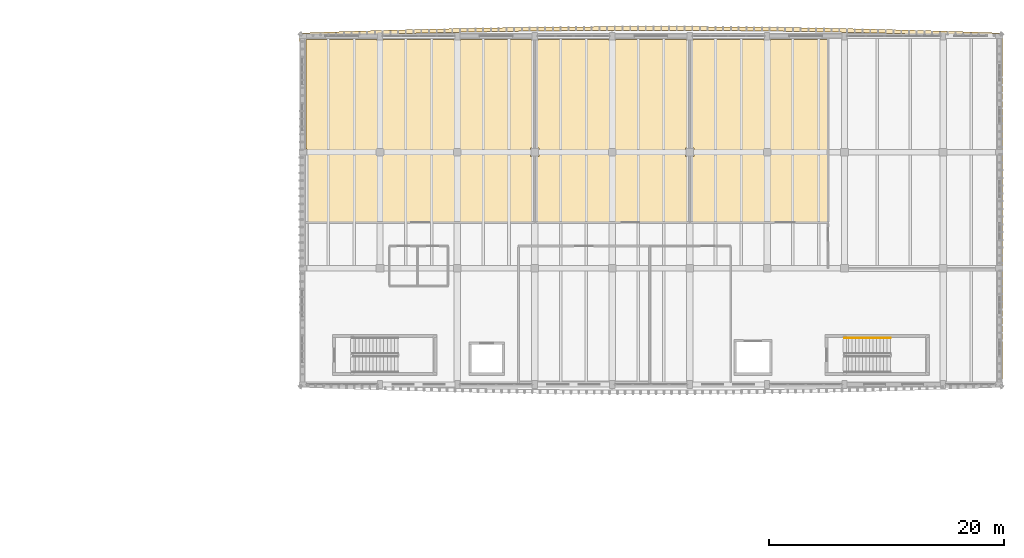
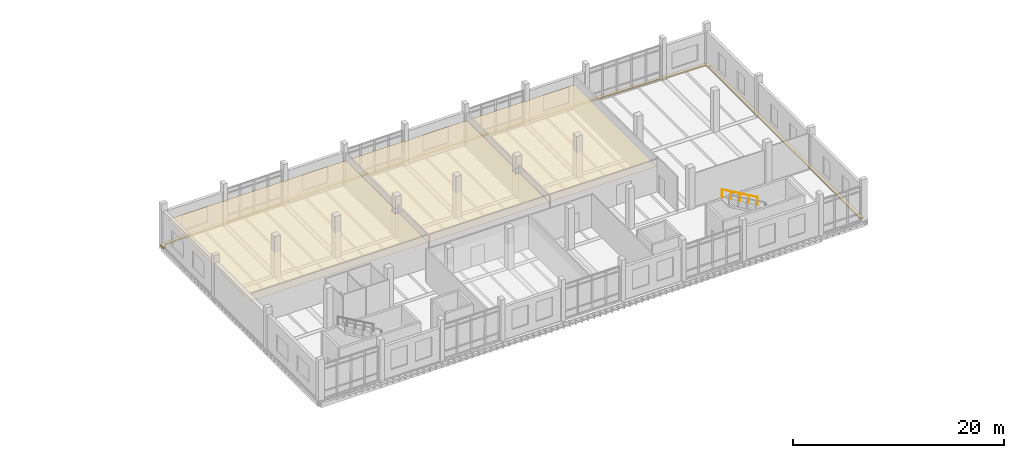
# One storey, part 68 of 76: 5 coverings, 1 railing.
"""IFC4 building model written with IfcOpenShell, lengths in metres."""

from ifc_helpers import new_model, si_unit, direction, frame, origin, origin_2d, place, context, subcontext, project, spatial, polyline, circle, outline, extrude, material, layer, layer_set, type_object, element, save


model = new_model("IFC4")

# Units and contexts
model_context = context("Model", 3, precision=1e-05, world=origin(), true_north=direction((0.0, 1.0)))
body_context = subcontext(model_context, "Body", "Model", "MODEL_VIEW")
ifc_project = project(units=[si_unit("LENGTHUNIT", "METRE"), si_unit("AREAUNIT", "SQUARE_METRE"), si_unit("VOLUMEUNIT", "CUBIC_METRE"), si_unit("PLANEANGLEUNIT", "RADIAN"), si_unit("MASSUNIT", "GRAM", prefix="KILO")], contexts=[model_context])

# Site, building, storey
site_placement = place(None, origin())
site = spatial("IfcSite", under=ifc_project, at=site_placement, CompositionType="ELEMENT")
building_placement = place(site_placement, origin())
building = spatial("IfcBuilding", under=site, at=building_placement, Name="Dornvale Research Institute", CompositionType="ELEMENT")
storey_placement = place(building_placement, frame((0.0, 0.0, 15.0)))
storey = spatial("IfcBuildingStorey", under=building, at=storey_placement, Name="L03", CompositionType="ELEMENT", Elevation=15.0)

# Coverings
ifc_material_1 = material(Name="Mineral-Fibre Acoustic Lay-In Ceiling Tile System")
ifc_layer_1 = layer(ifc_material_1, 0.02001953125)
ifc_layer_set_1 = layer_set([ifc_layer_1], Name="Mineral-Fibre Acoustic Lay-In Ceiling Tile System")
covering_type_1 = type_object("IfcCoveringType", Name="Covering_Acoustic_Ceiling", PredefinedType="CEILING", material=ifc_layer_set_1)
covering_1_placement = place(storey_placement, frame((0.0, 0.0, 2.85009765625)))
element("IfcCovering", 1, at=covering_1_placement, inside=storey, type_object=covering_type_1, Name="L03 Systems Biology Wet Laboratory suspended ceiling", PredefinedType="CEILING", context=body_context, shape_type="SweptSolid", body=[
    extrude(outline(polyline([(125.675048828125, 121.800048828125), (131.72509765625, 121.800048828125), (131.72509765625, 121.72509765625), (132.27490234375, 121.72509765625), (132.27490234375, 121.800048828125), (138.324951171875, 121.800048828125), (138.324951171875, 121.72509765625), (138.580078125, 121.72509765625), (138.580078125, 112.574951171875), (138.22509765625, 112.574951171875), (138.22509765625, 111.824951171875), (138.580078125, 111.824951171875), (138.580078125, 106.219970703125), (119.10009765625, 106.219970703125), (119.10009765625, 111.925048828125), (119.175048828125, 111.925048828125), (119.175048828125, 112.47509765625), (119.10009765625, 112.47509765625), (119.10009765625, 121.800048828125), (125.125, 121.800048828125), (125.125, 121.72509765625), (125.675048828125, 121.72509765625), (125.675048828125, 121.800048828125)])), origin(), (0.0, 0.0, 1.0), 0.02001953125),
])
covering_2_placement = place(storey_placement, frame((0.0, 0.0, 2.85009765625)))
element("IfcCovering", 2, at=covering_2_placement, inside=storey, type_object=covering_type_1, Name="L03 Proteomics and Mass Spectrometry Suite suspended ceiling", PredefinedType="CEILING", context=body_context, shape_type="SweptSolid", body=[
    extrude(outline(polyline([(138.875, 121.800048828125), (144.925048828125, 121.800048828125), (144.925048828125, 121.72509765625), (145.47509765625, 121.72509765625), (145.47509765625, 121.800048828125), (151.52490234375, 121.800048828125), (151.52490234375, 121.72509765625), (151.780029296875, 121.72509765625), (151.780029296875, 112.574951171875), (151.425048828125, 112.574951171875), (151.425048828125, 111.824951171875), (151.780029296875, 111.824951171875), (151.780029296875, 106.219970703125), (138.6201171875, 106.219970703125), (138.6201171875, 111.824951171875), (138.97509765625, 111.824951171875), (138.97509765625, 112.574951171875), (138.6201171875, 112.574951171875), (138.6201171875, 121.72509765625), (138.875, 121.72509765625), (138.875, 121.800048828125)])), origin(), (0.0, 0.0, 1.0), 0.02001953125),
])
covering_3_placement = place(storey_placement, frame((0.0, 0.0, 2.85009765625)))
element("IfcCovering", 3, at=covering_3_placement, inside=storey, type_object=covering_type_1, Name="L03 Media Preparation and Autoclave Room suspended ceiling", PredefinedType="CEILING", context=body_context, shape_type="SweptSolid", body=[
    extrude(outline(polyline([(151.820068359375, 111.824951171875), (152.175048828125, 111.824951171875), (152.175048828125, 112.574951171875), (151.820068359375, 112.574951171875), (151.820068359375, 121.72509765625), (152.074951171875, 121.72509765625), (152.074951171875, 121.800048828125), (158.125, 121.800048828125), (158.125, 121.72509765625), (158.675048828125, 121.72509765625), (158.675048828125, 121.800048828125), (163.580078125, 121.800048828125), (163.580078125, 106.219970703125), (151.820068359375, 106.219970703125), (151.820068359375, 111.824951171875)])), origin(), (0.0, 0.0, 1.0), 0.02001953125),
])
ifc_material_2 = material(Name="Polychrome Glazed Terracotta Visor Rib Ceramic", Category="masonry")
ifc_layer_2 = layer(ifc_material_2, 0.179931640625)
ifc_layer_set_2 = layer_set([ifc_layer_2], Name="Polychrome Glazed Terracotta Visor Rib Ceramic")
covering_type_2 = type_object("IfcCoveringType", Name="Covering_VisorBrim_LowShelf", PredefinedType="CLADDING", material=ifc_layer_set_2)
covering_4_placement = place(storey_placement, frame((0.0, 0.0, -0.260009765625)))
element("IfcCovering", 4, at=covering_4_placement, inside=storey, type_object=covering_type_2, Name="L03 V4 canted bowed-brim visor hood #53", PredefinedType="CLADDING", context=body_context, shape_type="SweptSolid", body=[
    extrude(outline(polyline([(118.790771484375, 122.35888671875), (120.440673828125, 122.41845703125), (120.441162109375, 122.41845703125), (122.09130859375, 122.474609375), (122.091796875, 122.474609375), (123.74169921875, 122.527099609375), (123.7421875, 122.527099609375), (125.392333984375, 122.576416015625), (125.392822265625, 122.576416015625), (127.042724609375, 122.622314453125), (127.043212890625, 122.622314453125), (128.693359375, 122.664794921875), (128.69384765625, 122.664794921875), (130.343994140625, 122.70361328125), (130.344482421875, 122.70361328125), (131.994384765625, 122.7392578125), (131.994873046875, 122.739501953125), (133.64501953125, 122.771728515625), (133.6455078125, 122.771728515625), (135.29541015625, 122.800537109375), (135.2958984375, 122.800537109375), (136.946044921875, 122.825927734375), (136.946533203125, 122.825927734375), (138.596435546875, 122.84814453125), (138.59716796875, 122.84814453125), (140.2470703125, 122.86669921875), (140.24755859375, 122.86669921875), (141.897705078125, 122.882080078125), (141.898193359375, 122.882080078125), (143.548095703125, 122.893798828125), (143.548583984375, 122.893798828125), (145.19873046875, 122.90234375), (145.19921875, 122.90234375), (146.84912109375, 122.907470703125), (146.849609375, 122.907470703125), (148.499755859375, 122.9091796875), (148.500244140625, 122.9091796875), (150.150390625, 122.907470703125), (150.15087890625, 122.907470703125), (151.80078125, 122.90234375), (151.80126953125, 122.90234375), (153.451416015625, 122.893798828125), (153.451904296875, 122.893798828125), (155.101806640625, 122.882080078125), (155.102294921875, 122.882080078125), (156.75244140625, 122.86669921875), (156.7529296875, 122.86669921875), (158.40283203125, 122.84814453125), (158.403564453125, 122.84814453125), (160.053466796875, 122.825927734375), (160.053955078125, 122.825927734375), (161.7041015625, 122.800537109375), (161.70458984375, 122.800537109375), (163.3544921875, 122.771728515625), (163.35498046875, 122.771728515625), (165.005126953125, 122.739501953125), (165.005615234375, 122.7392578125), (166.655517578125, 122.70361328125), (166.656005859375, 122.70361328125), (168.30615234375, 122.664794921875), (168.306640625, 122.664794921875), (169.956787109375, 122.622314453125), (169.957275390625, 122.622314453125), (171.607177734375, 122.576416015625), (171.607666015625, 122.576416015625), (173.2578125, 122.527099609375), (173.25830078125, 122.527099609375), (174.908203125, 122.474609375), (174.90869140625, 122.474609375), (176.558837890625, 122.41845703125), (176.559326171875, 122.41845703125), (178.209228515625, 122.35888671875), (178.3056640625, 122.336669921875), (178.386474609375, 122.280029296875), (178.4404296875, 122.197021484375), (178.459228515625, 122.10009765625), (178.459228515625, 121.64990234375), (178.139892578125, 121.64990234375), (178.139892578125, 122.0419921875), (176.5478515625, 122.099365234375), (174.89794921875, 122.155517578125), (173.248046875, 122.2080078125), (171.598388671875, 122.25732421875), (169.948486328125, 122.302978515625), (168.298583984375, 122.345703125), (166.648681640625, 122.384521484375), (164.998779296875, 122.420166015625), (163.348876953125, 122.452392578125), (161.698974609375, 122.4814453125), (160.049072265625, 122.5068359375), (158.3994140625, 122.52880859375), (156.74951171875, 122.547607421875), (155.099609375, 122.562744140625), (153.44970703125, 122.57470703125), (151.7998046875, 122.583251953125), (150.14990234375, 122.58837890625), (148.5, 122.590087890625), (146.85009765625, 122.58837890625), (145.2001953125, 122.583251953125), (143.55029296875, 122.57470703125), (141.900390625, 122.562744140625), (140.25048828125, 122.547607421875), (138.6005859375, 122.52880859375), (136.950927734375, 122.5068359375), (135.301025390625, 122.4814453125), (133.651123046875, 122.452392578125), (132.001220703125, 122.420166015625), (130.351318359375, 122.384521484375), (128.701416015625, 122.345703125), (127.051513671875, 122.302978515625), (125.401611328125, 122.25732421875), (123.751953125, 122.2080078125), (122.10205078125, 122.155517578125), (120.4521484375, 122.099365234375), (118.860107421875, 122.0419921875), (118.860107421875, 121.64990234375), (118.540771484375, 121.64990234375), (118.540771484375, 122.10009765625), (118.5595703125, 122.197021484375), (118.613525390625, 122.280029296875), (118.6943359375, 122.336669921875), (118.790771484375, 122.35888671875)])), origin(), (0.0, 0.0, 1.0), 0.179931640625),
])
covering_5_placement = place(storey_placement, frame((0.0, 0.0, -0.260009765625)))
element("IfcCovering", 5, at=covering_5_placement, inside=storey, type_object=covering_type_2, Name="L03 V4 canted bowed-brim visor hood #55", PredefinedType="CLADDING", context=body_context, shape_type="SweptSolid", body=[
    extrude(outline(polyline([(178.459228515625, 92.85009765625), (178.139892578125, 92.85009765625), (178.139892578125, 121.64990234375), (178.459228515625, 121.64990234375), (178.459228515625, 92.85009765625)])), origin(), (0.0, 0.0, 1.0), 0.179931640625),
])

# Railing
ifc_material_3 = material(Name="Galvanized Painted Tubular Steel Stair Rail", Category="steel")
ifc_layer_3 = layer(ifc_material_3, 0.044921875)
ifc_layer_set_3 = layer_set([ifc_layer_3], Name="Galvanized Painted Tubular Steel Stair Rail")
railing_type = type_object("IfcRailingType", Name="Railing_Stair_Handrail_900", PredefinedType="HANDRAIL", material=ifc_layer_set_3)
railing_placement = place(storey_placement, frame((168.919921875, 96.35009765625, 2.571533203125)))
element("IfcRailing", 6, at=railing_placement, inside=storey, type_object=railing_type, Name="L03 ST-4 stair handrail 2", PredefinedType="HANDRAIL", context=body_context, shape_type="SweptSolid", body=[
    extrude(circle(Radius=0.02392578125, at=origin_2d()), frame((0.0, 0.0, 0.8759765625), z_axis=(-0.868243142124, 0.0, 0.496138938357), x_axis=(0.0, -1.0, 0.0)), (0.0, 0.0, 1.0), 4.49169921875),
    extrude(circle(Radius=0.02099609375, at=origin_2d()), origin(), (0.0, 0.0, 1.0), 0.851806640625),
    extrude(circle(Radius=0.02099609375, at=origin_2d()), frame((-0.97509765625, 0.0, 0.55712890625)), (0.0, 0.0, 1.0), 0.851806640625),
    extrude(circle(Radius=0.02099609375, at=origin_2d()), frame((-1.949951171875, 0.0, 1.1142578125)), (0.0, 0.0, 1.0), 0.851806640625),
    extrude(circle(Radius=0.02099609375, at=origin_2d()), frame((-2.9248046875, 0.0, 1.67138671875)), (0.0, 0.0, 1.0), 0.851806640625),
    extrude(circle(Radius=0.02099609375, at=origin_2d()), frame((-3.89990234375, 0.0, 2.228515625)), (0.0, 0.0, 1.0), 0.851806640625),
])

save(model, "model.ifc")
